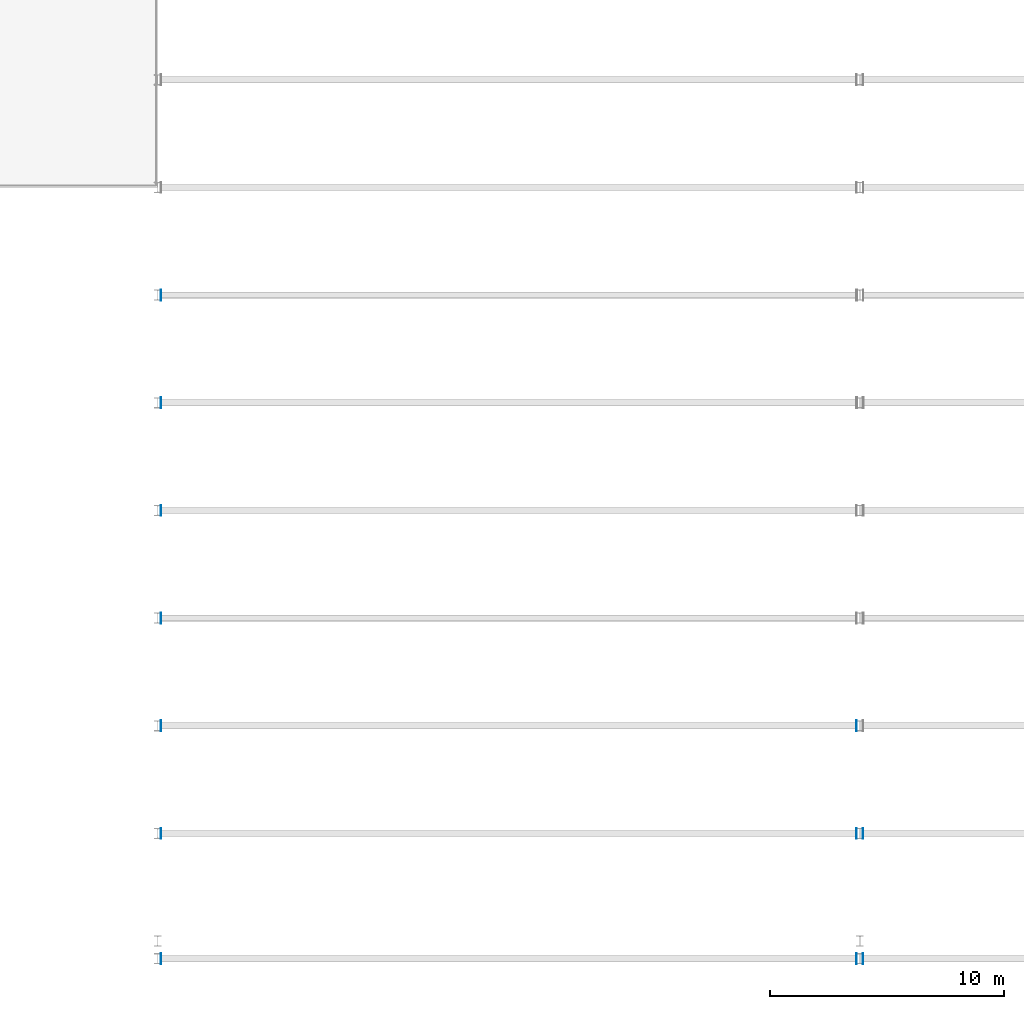
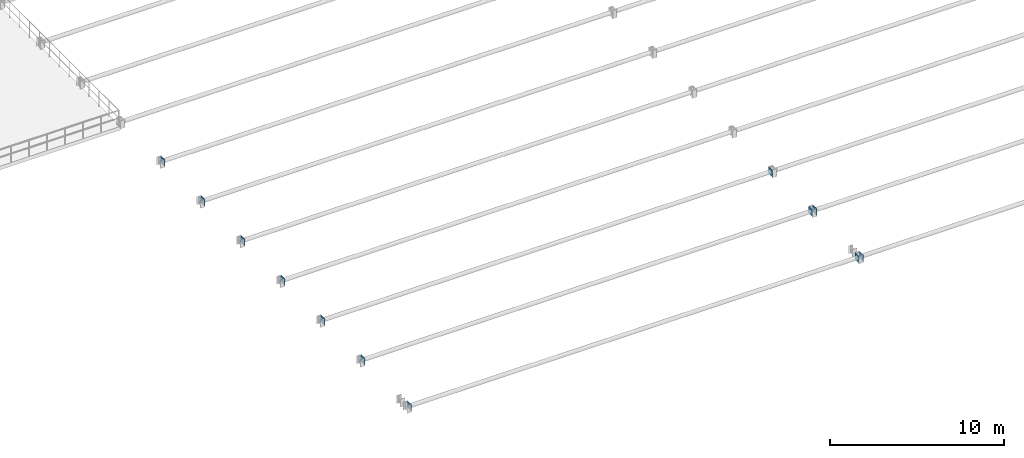
# One storey, part 23 of 38: 12 plates.
"""IFC4 building model written with IfcOpenShell, lengths in metres."""

from ifc_helpers import new_model, si_unit, direction, frame, origin, origin_2d, place, context, subcontext, project, spatial, rectangle, extrude, material, layer, layer_set, type_object, element, save


model = new_model("IFC4")

# Units and contexts
model_context = context("Model", 3, precision=1e-05, world=origin(), true_north=direction((0.0, 1.0)))
body_context = subcontext(model_context, "Body", "Model", "MODEL_VIEW")
ifc_project = project(units=[si_unit("LENGTHUNIT", "METRE"), si_unit("AREAUNIT", "SQUARE_METRE"), si_unit("VOLUMEUNIT", "CUBIC_METRE"), si_unit("PLANEANGLEUNIT", "RADIAN"), si_unit("MASSUNIT", "GRAM", prefix="KILO")], contexts=[model_context])

# Site, building, storey
site_placement = place(None, origin())
site = spatial("IfcSite", under=ifc_project, at=site_placement, CompositionType="ELEMENT")
building_placement = place(site_placement, origin())
building = spatial("IfcBuilding", under=site, at=building_placement, Name="Muzn Square Opera House", CompositionType="ELEMENT")
storey_placement = place(building_placement, frame((0.0, 0.0, 18.0)))
storey = spatial("IfcBuildingStorey", under=building, at=storey_placement, Name="L04", CompositionType="ELEMENT", Elevation=18.0)

# Plates
ifc_material = material(Name="Steel S355", Category="steel")
ifc_layer_1 = layer(ifc_material, 0.01611328125, Name="Steel S355", Category="steel")
ifc_layer_set_1 = layer_set([ifc_layer_1], Name="Steel S355")
plate_type_1 = type_object("IfcPlateType", Name="Gusset Plate 16mm 460x460", PredefinedType="USERDEFINED", material=ifc_layer_set_1)
for number, where, z_axis, x_axis, name in (
    (1, (43.139892578125, 21.25, 0.070068359375), (0.0, 0.0, 1.0), (1.0, 0.0, 0.0), "Vault Tie End Gusset Plate V1-00-W"),
    (2, (72.860107421875, 21.25, 0.070068359375), (0.0, 0.0, 1.0), (1.0, 0.0, 0.0), "Vault Tie End Gusset Plate V1-00-E"),
):
    element("IfcPlate", number, at=place(storey_placement, frame(where, z_axis=z_axis, x_axis=x_axis)), inside=storey, type_object=plate_type_1, Name=name, ObjectType="GUSSET PLATE", PredefinedType="USERDEFINED", context=body_context, shape_type="SweptSolid", body=[
        extrude(rectangle(XDim=0.01611328125, YDim=0.4599609375, at=origin_2d()), origin(), (0.0, 0.0, 1.0), 0.4599609375),
    ])
ifc_layer_2 = layer(ifc_material, 0.01806640625, Name="Steel S355", Category="steel")
ifc_layer_set_2 = layer_set([ifc_layer_2], Name="Steel S355")
plate_type_2 = type_object("IfcPlateType", Name="Gusset Plate 18mm 460x460", PredefinedType="USERDEFINED", material=ifc_layer_set_2)
for number, where, z_axis, x_axis, name in (
    (3, (43.139892578125, 26.60009765625, 0.070068359375), (0.0, 0.0, 1.0), (1.0, 0.0, 0.0), "Vault Tie End Gusset Plate V1-01-W"),
    (4, (72.860107421875, 26.60009765625, 0.070068359375), (0.0, 0.0, 1.0), (1.0, 0.0, 0.0), "Vault Tie End Gusset Plate V1-01-E"),
    (5, (73.139892578125, 21.25, 0.070068359375), (0.0, 0.0, 1.0), (1.0, 0.0, 0.0), "Vault Tie End Gusset Plate V2-00-W"),
):
    element("IfcPlate", number, at=place(storey_placement, frame(where, z_axis=z_axis, x_axis=x_axis)), inside=storey, type_object=plate_type_2, Name=name, ObjectType="GUSSET PLATE", PredefinedType="USERDEFINED", context=body_context, shape_type="SweptSolid", body=[
        extrude(rectangle(XDim=0.01806640625, YDim=0.4599609375, at=origin_2d()), origin(), (0.0, 0.0, 1.0), 0.4599609375),
    ])
ifc_layer_3 = layer(ifc_material, 0.02001953125, Name="Steel S355", Category="steel")
ifc_layer_set_3 = layer_set([ifc_layer_3], Name="Steel S355")
plate_type_3 = type_object("IfcPlateType", Name="Gusset Plate 20mm 460x460", PredefinedType="USERDEFINED", material=ifc_layer_set_3)
for number, where, z_axis, x_axis, name in (
    (6, (43.139892578125, 31.199951171875, 0.070068359375), (0.0, 0.0, 1.0), (1.0, 0.0, 0.0), "Vault Tie End Gusset Plate V1-02-W"),
    (7, (72.860107421875, 31.199951171875, 0.070068359375), (0.0, 0.0, 1.0), (1.0, 0.0, 0.0), "Vault Tie End Gusset Plate V1-02-E"),
    (8, (73.139892578125, 26.60009765625, 0.070068359375), (0.0, 0.0, 1.0), (1.0, 0.0, 0.0), "Vault Tie End Gusset Plate V2-01-W"),
):
    element("IfcPlate", number, at=place(storey_placement, frame(where, z_axis=z_axis, x_axis=x_axis)), inside=storey, type_object=plate_type_3, Name=name, ObjectType="GUSSET PLATE", PredefinedType="USERDEFINED", context=body_context, shape_type="SweptSolid", body=[
        extrude(rectangle(XDim=0.02001953125, YDim=0.4599609375, at=origin_2d()), origin(), (0.0, 0.0, 1.0), 0.4599609375),
    ])
ifc_layer_4 = layer(ifc_material, 0.02392578125, Name="Steel S355", Category="steel")
ifc_layer_set_4 = layer_set([ifc_layer_4], Name="Steel S355")
plate_type_4 = type_object("IfcPlateType", Name="Gusset Plate 24mm 460x460", PredefinedType="USERDEFINED", material=ifc_layer_set_4)
plate_1_placement = place(storey_placement, frame((43.139892578125, 35.800048828125, 0.070068359375), z_axis=(0.0, 0.0, 1.0), x_axis=(1.0, 0.0, 0.0)))
element("IfcPlate", 9, at=plate_1_placement, inside=storey, type_object=plate_type_4, Name="Vault Tie End Gusset Plate V1-03-W", ObjectType="GUSSET PLATE", PredefinedType="USERDEFINED", context=body_context, shape_type="SweptSolid", body=[
    extrude(rectangle(XDim=0.02392578125, YDim=0.4599609375, at=origin_2d()), origin(), (0.0, 0.0, 1.0), 0.4599609375),
])
ifc_layer_5 = layer(ifc_material, 0.028076171875, Name="Steel S355", Category="steel")
ifc_layer_set_5 = layer_set([ifc_layer_5], Name="Steel S355")
plate_type_5 = type_object("IfcPlateType", Name="Gusset Plate 28mm 460x460", PredefinedType="USERDEFINED", material=ifc_layer_set_5)
plate_2_placement = place(storey_placement, frame((43.139892578125, 40.39990234375, 0.070068359375), z_axis=(0.0, 0.0, 1.0), x_axis=(1.0, 0.0, 0.0)))
element("IfcPlate", 10, at=plate_2_placement, inside=storey, type_object=plate_type_5, Name="Vault Tie End Gusset Plate V1-04-W", ObjectType="GUSSET PLATE", PredefinedType="USERDEFINED", context=body_context, shape_type="SweptSolid", body=[
    extrude(rectangle(XDim=0.028076171875, YDim=0.4599609375, at=origin_2d()), origin(), (0.0, 0.0, 1.0), 0.4599609375),
])
ifc_layer_6 = layer(ifc_material, 0.031982421875, Name="Steel S355", Category="steel")
ifc_layer_set_6 = layer_set([ifc_layer_6], Name="Steel S355")
plate_type_6 = type_object("IfcPlateType", Name="Gusset Plate 32mm 460x460", PredefinedType="USERDEFINED", material=ifc_layer_set_6)
plate_3_placement = place(storey_placement, frame((43.139892578125, 45.0, 0.070068359375), z_axis=(0.0, 0.0, 1.0), x_axis=(1.0, 0.0, 0.0)))
element("IfcPlate", 11, at=plate_3_placement, inside=storey, type_object=plate_type_6, Name="Vault Tie End Gusset Plate V1-05-W", ObjectType="GUSSET PLATE", PredefinedType="USERDEFINED", context=body_context, shape_type="SweptSolid", body=[
    extrude(rectangle(XDim=0.031982421875, YDim=0.4599609375, at=origin_2d()), origin(), (0.0, 0.0, 1.0), 0.4599609375),
])
ifc_layer_7 = layer(ifc_material, 0.035888671875, Name="Steel S355", Category="steel")
ifc_layer_set_7 = layer_set([ifc_layer_7], Name="Steel S355")
plate_type_7 = type_object("IfcPlateType", Name="Gusset Plate 36mm 460x460", PredefinedType="USERDEFINED", material=ifc_layer_set_7)
plate_4_placement = place(storey_placement, frame((43.139892578125, 49.60009765625, 0.070068359375), z_axis=(0.0, 0.0, 1.0), x_axis=(1.0, 0.0, 0.0)))
element("IfcPlate", 12, at=plate_4_placement, inside=storey, type_object=plate_type_7, Name="Vault Tie End Gusset Plate V1-06-W", ObjectType="GUSSET PLATE", PredefinedType="USERDEFINED", context=body_context, shape_type="SweptSolid", body=[
    extrude(rectangle(XDim=0.035888671875, YDim=0.4599609375, at=origin_2d()), origin(), (0.0, 0.0, 1.0), 0.4599609375),
])

save(model, "model.ifc")
